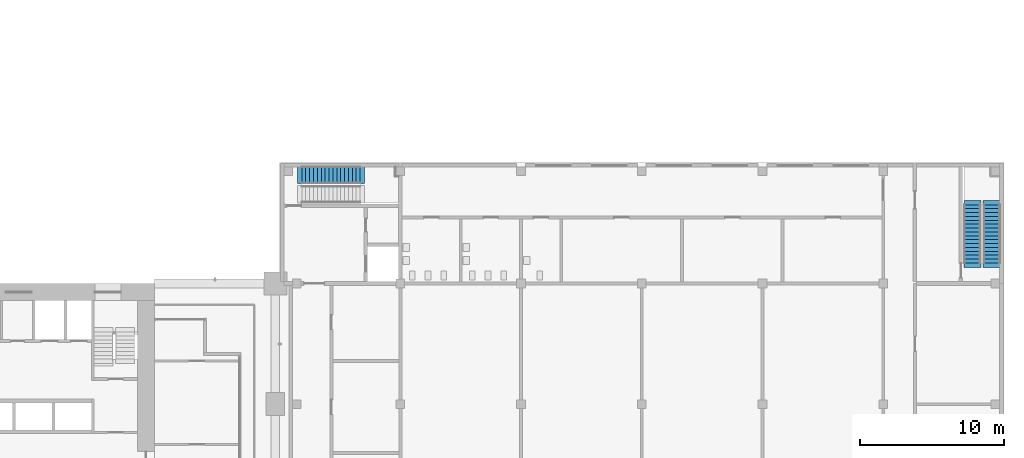
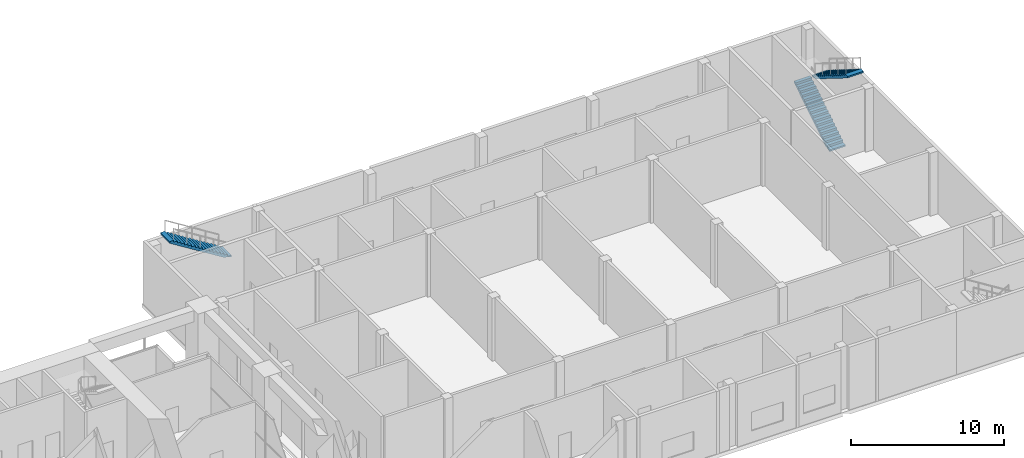
# One storey, part 23 of 32: 3 stair flights, 2 elements without a shape of their own.
"""IFC4 building model written with IfcOpenShell, lengths in metres."""

from ifc_helpers import new_model, si_unit, direction, frame, origin, place, context, subcontext, project, spatial, polyline, outline, extrude, material, type_object, element, aggregate, save


model = new_model("IFC4")

# Units and contexts
model_context = context("Model", 3, precision=1e-05, world=origin(), true_north=direction((0.0, 1.0)))
body_context = subcontext(model_context, "Body", "Model", "MODEL_VIEW")
ifc_project = project(units=[si_unit("LENGTHUNIT", "METRE"), si_unit("AREAUNIT", "SQUARE_METRE"), si_unit("VOLUMEUNIT", "CUBIC_METRE"), si_unit("PLANEANGLEUNIT", "RADIAN"), si_unit("MASSUNIT", "GRAM", prefix="KILO")], contexts=[model_context])

# Site, building, storey
site_placement = place(None, origin())
site = spatial("IfcSite", under=ifc_project, at=site_placement, CompositionType="ELEMENT")
building_placement = place(site_placement, origin())
building = spatial("IfcBuilding", under=site, at=building_placement, Name="Vermilion Gate Residences", CompositionType="ELEMENT")
storey_placement = place(building_placement, frame((0.0, 0.0, 19.800048828125)))
storey = spatial("IfcBuildingStorey", under=building, at=storey_placement, Name="L03", CompositionType="ELEMENT", Elevation=19.800048828125)

# Stair, stair flight
ifc_material_1 = material(Name="Concrete C35", Category="concrete")
stair_type = type_object("IfcStairType", Name="RC STAIR 1200 (MARKET HALL)", PredefinedType="HALF_TURN_STAIR", material=ifc_material_1)
stair_1_placement = place(storey_placement, origin())
stair_1 = element("IfcStair", 1, at=stair_1_placement, inside=storey, type_object=stair_type, Name="Stair STH1-03", PredefinedType="HALF_TURN_STAIR")
ifc_material_2 = material(Name="Concrete C35", Category="concrete")
stair_flight_type = type_object("IfcStairFlightType", Name="RC STAIR FLIGHT 1200 (MARKET HALL)", PredefinedType="STRAIGHT", material=ifc_material_2)
stair_flight_1_placement = place(storey_placement, frame((73.10009765625, 32.75, 2.699951171875), z_axis=(0.0, 0.0, 1.0), x_axis=(-1.0, 0.0, 0.0)))
stair_flight_1 = element("IfcStairFlight", 2, at=stair_flight_1_placement, type_object=stair_flight_type, Name="STH1-03 flight 2", NumberOfRisers=16, NumberOfTreads=15, PredefinedType="STRAIGHT", RiserHeight=0.16875, TreadLength=0.27, context=body_context, shape_type="SweptSolid", body=[
    extrude(outline(polyline([(-0.300048828125, -0.14990234375), (-0.300048828125, -0.030029296875), (0.0, 0.0), (0.0, 0.168701171875), (0.27001953125, 0.168701171875), (0.27001953125, 0.33740234375), (0.5400390625, 0.33740234375), (0.5400390625, 0.50634765625), (0.81005859375, 0.50634765625), (0.81005859375, 0.675048828125), (1.080078125, 0.675048828125), (1.080078125, 0.84375), (1.35009765625, 0.84375), (1.35009765625, 1.012451171875), (1.6201171875, 1.012451171875), (1.6201171875, 1.18115234375), (1.889892578125, 1.18115234375), (1.889892578125, 1.35009765625), (2.159912109375, 1.35009765625), (2.159912109375, 1.518798828125), (2.429931640625, 1.518798828125), (2.429931640625, 1.6875), (2.699951171875, 1.6875), (2.699951171875, 1.856201171875), (2.969970703125, 1.856201171875), (2.969970703125, 2.02490234375), (3.239990234375, 2.02490234375), (3.239990234375, 2.19384765625), (3.510009765625, 2.19384765625), (3.510009765625, 2.362548828125), (3.780029296875, 2.362548828125), (3.780029296875, 2.53125), (4.050048828125, 2.53125), (4.050048828125, 2.699951171875), (4.35009765625, 2.669921875), (4.35009765625, 2.550048828125), (4.050048828125, 2.3544921875), (0.28271484375, 0.0), (-0.300048828125, -0.14990234375)])), frame((0.0, 0.60009765625, 0.0), z_axis=(0.0, -1.0, 0.0), x_axis=(1.0, 0.0, 0.0)), (0.0, 0.0, 1.0), 1.199951171875),
])
aggregate(stair_1, [stair_flight_1])

# Stair, stair flights
stair_2_placement = place(storey_placement, origin())
stair_2 = element("IfcStair", 3, at=stair_2_placement, inside=storey, type_object=stair_type, Name="Stair STH3-03", PredefinedType="HALF_TURN_STAIR")
stair_flight_2_placement = place(storey_placement, frame((115.699951171875, 26.625, 0.0), z_axis=(0.0, 0.0, 1.0), x_axis=(0.0, 1.0, 0.0)))
stair_flight_2 = element("IfcStairFlight", 4, at=stair_flight_2_placement, type_object=stair_flight_type, Name="STH3-03 flight 1", NumberOfRisers=16, NumberOfTreads=15, PredefinedType="STRAIGHT", RiserHeight=0.16875, TreadLength=0.27, context=body_context, shape_type="SweptSolid", body=[
    extrude(outline(polyline([(-0.300048828125, -0.14990234375), (-0.300048828125, -0.030029296875), (0.0, 0.0), (0.0, 0.168701171875), (0.27001953125, 0.168701171875), (0.27001953125, 0.33740234375), (0.5400390625, 0.33740234375), (0.5400390625, 0.50634765625), (0.81005859375, 0.50634765625), (0.81005859375, 0.675048828125), (1.080078125, 0.675048828125), (1.080078125, 0.84375), (1.35009765625, 0.84375), (1.35009765625, 1.012451171875), (1.6201171875, 1.012451171875), (1.6201171875, 1.18115234375), (1.889892578125, 1.18115234375), (1.889892578125, 1.35009765625), (2.159912109375, 1.35009765625), (2.159912109375, 1.518798828125), (2.429931640625, 1.518798828125), (2.429931640625, 1.6875), (2.699951171875, 1.6875), (2.699951171875, 1.856201171875), (2.969970703125, 1.856201171875), (2.969970703125, 2.02490234375), (3.239990234375, 2.02490234375), (3.239990234375, 2.19384765625), (3.510009765625, 2.19384765625), (3.510009765625, 2.362548828125), (3.780029296875, 2.362548828125), (3.780029296875, 2.53125), (4.050048828125, 2.53125), (4.050048828125, 2.699951171875), (4.35009765625, 2.669921875), (4.35009765625, 2.550048828125), (4.050048828125, 2.3544921875), (0.28271484375, 0.0), (-0.300048828125, -0.14990234375)])), frame((0.0, 0.60009765625, 0.0), z_axis=(0.0, -1.0, 0.0), x_axis=(1.0, 0.0, 0.0)), (0.0, 0.0, 1.0), 1.199951171875),
])
stair_flight_3_placement = place(storey_placement, frame((117.050048828125, 30.675048828125, 2.699951171875), z_axis=(0.0, 0.0, 1.0), x_axis=(0.0, -1.0, 0.0)))
stair_flight_3 = element("IfcStairFlight", 5, at=stair_flight_3_placement, type_object=stair_flight_type, Name="STH3-03 flight 2", NumberOfRisers=16, NumberOfTreads=15, PredefinedType="STRAIGHT", RiserHeight=0.16875, TreadLength=0.27, context=body_context, shape_type="SweptSolid", body=[
    extrude(outline(polyline([(-0.300048828125, -0.14990234375), (-0.300048828125, -0.030029296875), (0.0, 0.0), (0.0, 0.168701171875), (0.27001953125, 0.168701171875), (0.27001953125, 0.33740234375), (0.5400390625, 0.33740234375), (0.5400390625, 0.50634765625), (0.81005859375, 0.50634765625), (0.81005859375, 0.675048828125), (1.080078125, 0.675048828125), (1.080078125, 0.84375), (1.35009765625, 0.84375), (1.35009765625, 1.012451171875), (1.6201171875, 1.012451171875), (1.6201171875, 1.18115234375), (1.889892578125, 1.18115234375), (1.889892578125, 1.35009765625), (2.159912109375, 1.35009765625), (2.159912109375, 1.518798828125), (2.429931640625, 1.518798828125), (2.429931640625, 1.6875), (2.699951171875, 1.6875), (2.699951171875, 1.856201171875), (2.969970703125, 1.856201171875), (2.969970703125, 2.02490234375), (3.239990234375, 2.02490234375), (3.239990234375, 2.19384765625), (3.510009765625, 2.19384765625), (3.510009765625, 2.362548828125), (3.780029296875, 2.362548828125), (3.780029296875, 2.53125), (4.050048828125, 2.53125), (4.050048828125, 2.699951171875), (4.35009765625, 2.669921875), (4.35009765625, 2.550048828125), (4.050048828125, 2.3544921875), (0.28271484375, 0.0), (-0.300048828125, -0.14990234375)])), frame((0.0, 0.60009765625, 0.0), z_axis=(0.0, -1.0, 0.0), x_axis=(1.0, 0.0, 0.0)), (0.0, 0.0, 1.0), 1.199951171875),
])
aggregate(stair_2, [stair_flight_2, stair_flight_3])

save(model, "model.ifc")
